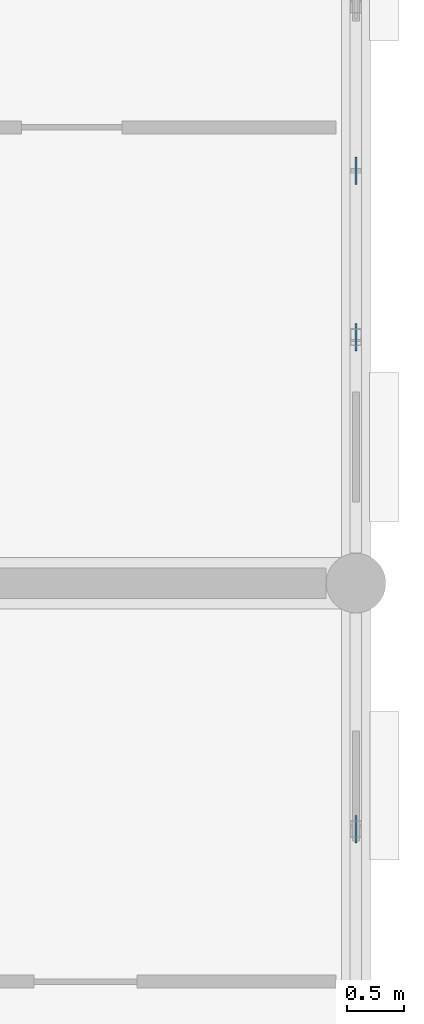
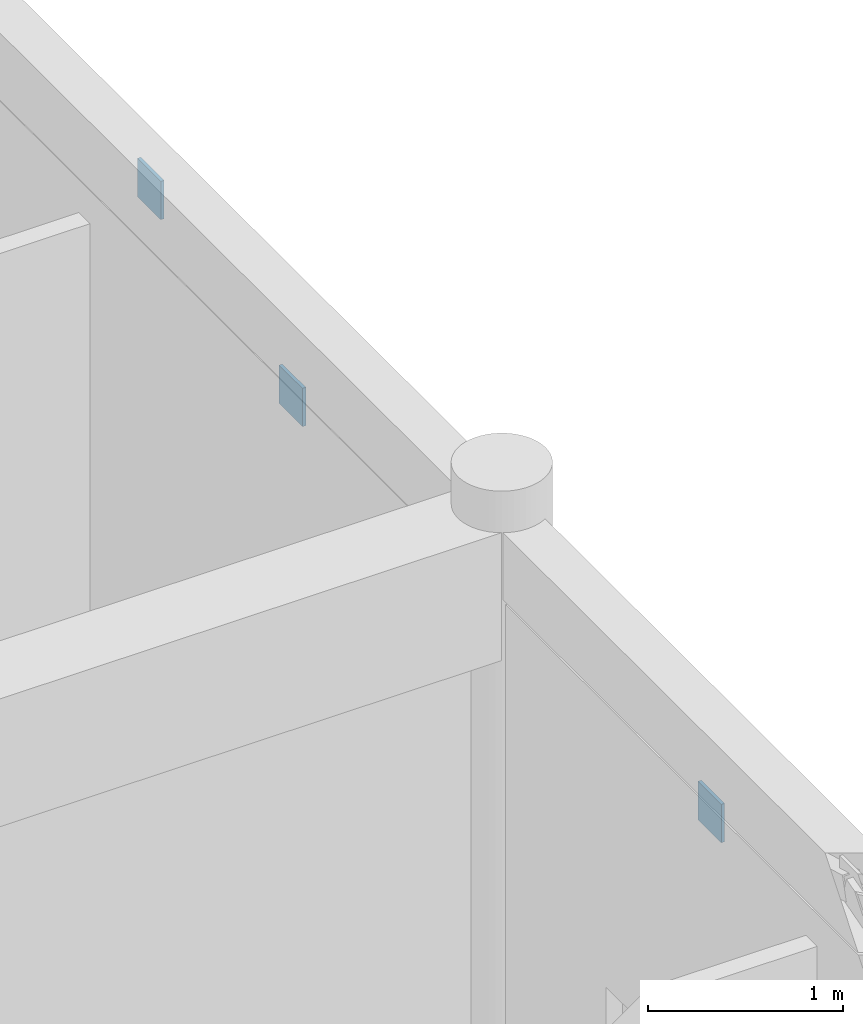
# One storey, part 88 of 138: 3 plates.
"""IFC4 building model written with IfcOpenShell, lengths in metres."""

import ifcopenshell
import ifcopenshell.guid

model = None  # the IFC model being written
_history = None  # IfcOwnerHistory: only IFC2X3 demands one
_inside = {}  # id of a spatial element -> (the spatial element, [elements in it])
_under = {}  # id of a project, library or spatial element -> (it, [spatial elements below it])
_declared = {}  # id of a project -> (the project, [libraries it declares])
_typed = {}  # id of a type object -> (the type object, [elements of that type])
_made_of = {}  # id of a material, layer set ... -> (it, [elements and type objects made of it])


def new_model(schema):
    """Start an empty IFC model of exactly this schema.

    Asked for "IFC4X3", IfcOpenShell would pick the latest addendum, in which some entities
    have other attributes; the version numbers below select the first issue.
    IFC2X3 requires an IfcOwnerHistory on every rooted entity: one is made here for all.
    """
    global model, _history
    if schema == "IFC4X3":
        model = ifcopenshell.file(schema_version=(4, 3, 0, 0))
    else:
        model = ifcopenshell.file(schema=schema)
    _inside.clear()
    _under.clear()
    _declared.clear()
    _typed.clear()
    _made_of.clear()
    _history = None
    if model.schema == "IFC2X3":
        org = make("IfcOrganization", Name="unknown")
        user = make(
            "IfcPersonAndOrganization",
            ThePerson=make("IfcPerson", FamilyName="unknown"),
            TheOrganization=org,
        )
        app = make(
            "IfcApplication",
            ApplicationDeveloper=org,
            Version="unknown",
            ApplicationFullName="unknown",
            ApplicationIdentifier="unknown",
        )
        _history = make(
            "IfcOwnerHistory",
            OwningUser=user,
            OwningApplication=app,
            ChangeAction="ADDED",
            CreationDate=0,
        )
    return model


def make(cls, **values):
    """One entity of the class cls with the attributes given. An attribute that is None is left unset."""
    return model.create_entity(
        cls, **{name: value for name, value in values.items() if value is not None}
    )


def rooted(cls, **values):
    """An entity with a GlobalId (a new one), such as an element, a storey or a relation."""
    return make(cls, GlobalId=ifcopenshell.guid.new(), OwnerHistory=_history, **values)


def si_unit(unit_type, name, prefix=None):
    """IfcSIUnit, for example si_unit("LENGTHUNIT", "METRE", prefix="MILLI")."""
    return make("IfcSIUnit", UnitType=unit_type, Prefix=prefix, Name=name)


def assignment(units):
    """IfcUnitAssignment: the units of a project."""
    return None if units is None else make("IfcUnitAssignment", Units=units)


def point(xyz):
    """IfcCartesianPoint."""
    return None if xyz is None else make("IfcCartesianPoint", Coordinates=xyz)


def direction(xyz):
    """IfcDirection."""
    return None if xyz is None else make("IfcDirection", DirectionRatios=xyz)


def frame(location, z_axis=None, x_axis=None):
    """IfcAxis2Placement3D, a coordinate frame: its origin and axes. An axis left out is left unset."""
    return make(
        "IfcAxis2Placement3D",
        Location=point(location),
        Axis=direction(z_axis),
        RefDirection=direction(x_axis),
    )


def frame_2d(location, x_axis=None):
    """IfcAxis2Placement2D, a coordinate frame in the plane: its origin and x axis."""
    return make(
        "IfcAxis2Placement2D", Location=point(location), RefDirection=direction(x_axis)
    )


def origin():
    """The frame at (0, 0, 0) with its axes left unset."""
    return frame((0.0, 0.0, 0.0))


def origin_2d():
    """The frame at (0, 0) in the plane with its x axis left unset."""
    return frame_2d((0.0, 0.0))


def place(relative_to, where):
    """IfcLocalPlacement: puts the frame where relative to a parent placement (None: the world)."""
    return make(
        "IfcLocalPlacement", PlacementRelTo=relative_to, RelativePlacement=where
    )


def context(
    kind, dimensions, precision=None, world=None, true_north=None, identifier=None
):
    """IfcGeometricRepresentationContext, for example the 3D "Model" context."""
    return make(
        "IfcGeometricRepresentationContext",
        ContextIdentifier=identifier,
        ContextType=kind,
        CoordinateSpaceDimension=dimensions,
        Precision=precision,
        WorldCoordinateSystem=world,
        TrueNorth=true_north,
    )


def subcontext(parent, identifier, kind, view, scale=None):
    """IfcGeometricRepresentationSubContext, for example "Body" below "Model"."""
    return make(
        "IfcGeometricRepresentationSubContext",
        ContextIdentifier=identifier,
        ContextType=kind,
        ParentContext=parent,
        TargetScale=scale,
        TargetView=view,
    )


def project(units=None, contexts=None):
    """IfcProject with its units and contexts."""
    return rooted(
        "IfcProject",
        Name="project",
        RepresentationContexts=contexts,
        UnitsInContext=assignment(units),
    )


def spatial(cls, under=None, at=None, **own):
    """A site, building, storey or space (cls), placed at a placement, below another one or the project."""
    s = rooted(cls, ObjectPlacement=at, **own)
    if under is not None:
        _under.setdefault(under.id(), (under, []))[1].append(s)
    return s


def profile(cls, at=None, kind="AREA", **sizes):
    """A parametric profile (cls). Its sizes go by their IFC names, for example OverallWidth=200.0."""
    return make(cls, ProfileType=kind, Position=at, **sizes)


def rectangle(**sizes):
    """IfcRectangleProfileDef."""
    return profile("IfcRectangleProfileDef", **sizes)


def extrude(swept, where, along, depth):
    """IfcExtrudedAreaSolid: the profile swept, set in the frame where, extruded along a direction by depth."""
    return make(
        "IfcExtrudedAreaSolid",
        SweptArea=swept,
        Position=where,
        ExtrudedDirection=direction(along),
        Depth=depth,
    )


def shape(context_of_items, identifier, shape_type, items):
    """IfcShapeRepresentation: the items that make up one representation, for example the "Body"."""
    return make(
        "IfcShapeRepresentation",
        ContextOfItems=context_of_items,
        RepresentationIdentifier=identifier,
        RepresentationType=shape_type,
        Items=items,
    )


def material(Name=None, Category=None):
    """IfcMaterial."""
    return make("IfcMaterial", Name=Name, Category=Category)


def layer(
    of_material, thickness, ventilated=None, Name=None, Category=None, Priority=None
):
    """IfcMaterialLayer: one layer of a wall or slab, of a material (None: an air gap)."""
    return make(
        "IfcMaterialLayer",
        Material=of_material,
        LayerThickness=thickness,
        IsVentilated=ventilated,
        Name=Name,
        Category=Category,
        Priority=Priority,
    )


def layer_set(layers, Name=None):
    """IfcMaterialLayerSet."""
    return make("IfcMaterialLayerSet", MaterialLayers=layers, LayerSetName=Name)


def made_of(thing, what):
    """Note that an element or type object is made of a material, layer set ...; save() writes the relation."""
    if what is not None:
        _made_of.setdefault(what.id(), (what, []))[1].append(thing)
    return thing


def type_object(cls, material=None, **own):
    """A type object (cls), such as IfcWallType, which elements share."""
    return made_of(rooted(cls, **own), material)


def element(
    cls,
    number,
    at=None,
    inside=None,
    cuts=None,
    type_object=None,
    material=None,
    context=None,
    identifier="Body",
    shape_type=None,
    held_by="IfcProductDefinitionShape",
    body=None,
    shapes=None,
    **own,
):
    """One element of the class cls, such as IfcWall. Its Tag is "e" and its number.

    at: its placement. inside: the storey or other place that contains it. cuts: it is an
    opening in that element (IfcRelVoidsElement). A single representation is given by context,
    identifier, shape_type and body (its items); several are given by shapes. held_by: the class
    of the entity that holds the representations. save() writes the other relations.
    """
    e = rooted(cls, Tag="e%d" % number, ObjectPlacement=at, **own)
    if body is not None:
        shapes = [shape(context, identifier, shape_type, body)]
    if shapes is not None:
        e.Representation = make(held_by, Representations=shapes)
    if inside is not None:
        _inside.setdefault(inside.id(), (inside, []))[1].append(e)
    if cuts is not None:
        rooted(
            "IfcRelVoidsElement", RelatingBuildingElement=cuts, RelatedOpeningElement=e
        )
    if type_object is not None:
        _typed.setdefault(type_object.id(), (type_object, []))[1].append(e)
    return made_of(e, material)


def aggregate(whole, parts):
    """IfcRelAggregates: a whole, such as a stair, and the parts it consists of."""
    return rooted("IfcRelAggregates", RelatingObject=whole, RelatedObjects=parts)


def save(model, path):
    """Write the relations noted so far, then the file.

    IfcRelAggregates (storeys below a building ...), IfcRelContainedInSpatialStructure (elements
    in a storey), IfcRelDefinesByType, IfcRelAssociatesMaterial and IfcRelDeclares: one each for
    every whole, place, type object, material and project.
    """
    for whole, parts in _under.values():
        aggregate(whole, parts)
    for where, things in _inside.values():
        rooted(
            "IfcRelContainedInSpatialStructure",
            RelatedElements=things,
            RelatingStructure=where,
        )
    for kind, things in _typed.values():
        rooted("IfcRelDefinesByType", RelatedObjects=things, RelatingType=kind)
    for what, things in _made_of.values():
        rooted("IfcRelAssociatesMaterial", RelatedObjects=things, RelatingMaterial=what)
    for by, libraries in _declared.values():
        rooted("IfcRelDeclares", RelatingContext=by, RelatedDefinitions=libraries)
    model.write(path)


model = new_model("IFC4")

# Units and contexts
model_context = context("Model", 3, precision=1e-05, world=origin(), true_north=direction((0.0, 1.0)))
body_context = subcontext(model_context, "Body", "Model", "MODEL_VIEW")
ifc_project = project(units=[si_unit("LENGTHUNIT", "METRE"), si_unit("AREAUNIT", "SQUARE_METRE"), si_unit("VOLUMEUNIT", "CUBIC_METRE"), si_unit("PLANEANGLEUNIT", "RADIAN"), si_unit("MASSUNIT", "GRAM", prefix="KILO"), si_unit("THERMODYNAMICTEMPERATUREUNIT", "KELVIN"), si_unit("POWERUNIT", "WATT")], contexts=[model_context])

# Site, building, storey
site_placement = place(None, origin())
site = spatial("IfcSite", under=ifc_project, at=site_placement, CompositionType="ELEMENT")
building_placement = place(site_placement, origin())
building = spatial("IfcBuilding", under=site, at=building_placement, Name="Tavuni Mirador Residences", CompositionType="ELEMENT")
storey_placement = place(building_placement, origin())
storey = spatial("IfcBuildingStorey", under=building, at=storey_placement, Name="L00", CompositionType="ELEMENT", Elevation=0.0)

# Plates
ifc_material = material(Name="Structural steel S355", Category="steel")
ifc_layer = layer(ifc_material, 0.01806640625, Name="Structural steel S355", Category="steel")
ifc_layer_set = layer_set([ifc_layer], Name="Structural steel S355")
plate_type = type_object("IfcPlateType", Name="PLT-GP05", PredefinedType="USERDEFINED", material=ifc_layer_set)
for number, where, z_axis, x_axis, name in (
    (1, (118.800048828125, 127.451904296875, 3.49560546875), (0.0, 0.0, 1.0), (1.0, 0.0, 0.0), "ARCH-BLKD-E-05-GQ2"),
    (2, (118.800048828125, 131.748046875, 3.49560546875), (0.0, 0.0, 1.0), (1.0, 0.0, 0.0), "ARCH-BLKD-E-06-GQ1"),
    (3, (118.800048828125, 133.199951171875, 3.91015625), (0.0, 0.0, 1.0), (1.0, 0.0, 0.0), "ARCH-BLKD-E-06-GCR"),
):
    element("IfcPlate", number, at=place(storey_placement, frame(where, z_axis=z_axis, x_axis=x_axis)), inside=storey, type_object=plate_type, Name=name, ObjectType="GUSSET PLATE", PredefinedType="USERDEFINED", context=body_context, shape_type="SweptSolid", body=[
        extrude(rectangle(XDim=0.02001953125, YDim=0.239990234375, at=origin_2d()), origin(), (0.0, 0.0, 1.0), 0.239990234375),
    ])

save(model, "model.ifc")
